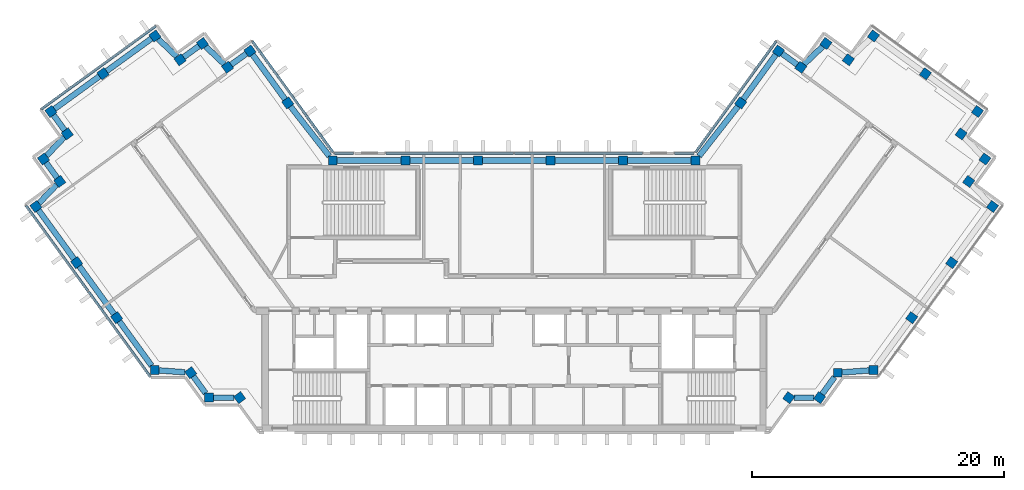
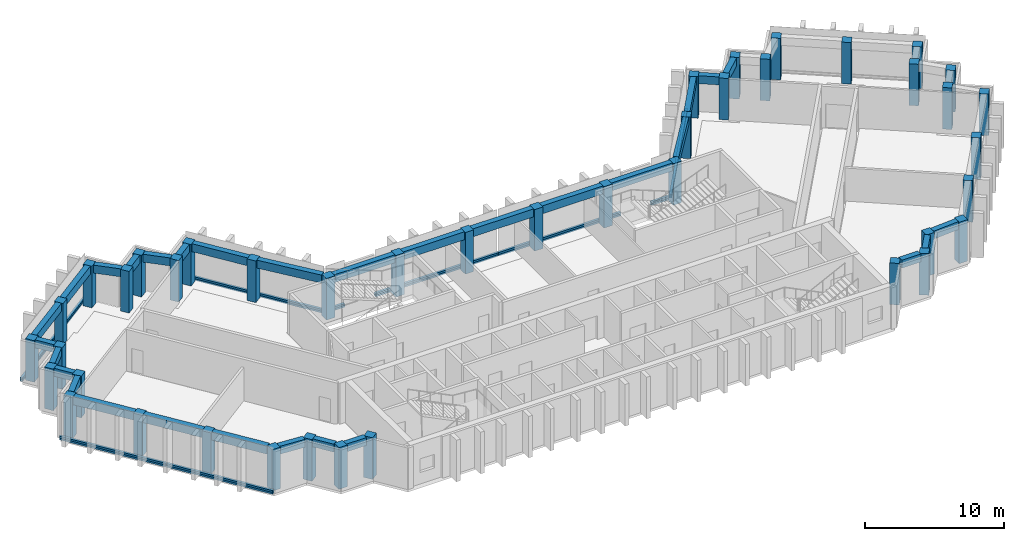
"""IFC4 building model written with IfcOpenShell, lengths in metres."""

from ifc_helpers import new_model, si_unit, direction, frame, origin, origin_2d, place, context, subcontext, project, spatial, rectangle, extrude, material, material_profile, profile_set, type_object, element, aggregate, save


model = new_model("IFC4")

# Units and contexts
model_context = context("Model", 3, precision=1e-05, world=origin(), true_north=direction((0.0, 1.0)))
body_context = subcontext(model_context, "Body", "Model", "MODEL_VIEW")
ifc_project = project(units=[si_unit("LENGTHUNIT", "METRE"), si_unit("AREAUNIT", "SQUARE_METRE"), si_unit("VOLUMEUNIT", "CUBIC_METRE"), si_unit("PLANEANGLEUNIT", "RADIAN"), si_unit("MASSUNIT", "GRAM", prefix="KILO")], contexts=[model_context])

# Site, building, storey
site_placement = place(None, origin())
site = spatial("IfcSite", under=ifc_project, at=site_placement, CompositionType="ELEMENT")
building_placement = place(site_placement, origin())
building = spatial("IfcBuilding", under=site, at=building_placement, Name="Quipu Civic Tower", CompositionType="ELEMENT")
storey_1_placement = place(building_placement, frame((0.0, 0.0, 331.0)))
storey_1 = spatial("IfcBuildingStorey", under=building, at=storey_1_placement, Name="L77", CompositionType="ELEMENT", Elevation=331.0)

# Columns
ifc_material_1 = material(Name="Concrete C40/50", Category="concrete")
ifc_material_profile_1 = material_profile(ifc_material_1, rectangle(XDim=0.699951171875, YDim=0.699951171875, at=origin_2d()), Name="RC700x700")
ifc_profile_set_1 = profile_set([ifc_material_profile_1], Name="Concrete C40/50")
column_type = type_object("IfcColumnType", Name="Perimeter column RC 700x700 C40/50", PredefinedType="COLUMN", material=ifc_profile_set_1)
for number, where, z_axis, x_axis, name in (
    (1, (-17.9736328125, 15.074951171875, 0.0), (0.0, 0.0, 1.0), (-0.587785252292, 0.809016994375, 0.0), "Column L77 W-IN-01"),
    (2, (-20.969970703125, 19.195068359375, 0.0), (0.0, 0.0, 1.0), (-0.587785252292, 0.809016994375, 0.0), "Column L77 T-Wi.0-W22"),
    (3, (-22.749267578125, 17.904296875, 0.0), (0.0, 0.0, 1.0), (-0.587785252292, 0.809016994375, 0.0), "Column L77 T-Wi.1-W22"),
    (4, (-24.739990234375, 19.794921875, 0.0), (0.0, 0.0, 1.0), (-0.587785252292, 0.809016994375, 0.0), "Column L77 T-Wi.2-W22"),
    (5, (-26.51904296875, 18.50048828125, 0.0), (0.0, 0.0, 1.0), (-0.587785252292, 0.809016994375, 0.0), "Column L77 T-Wi.3-W22"),
    (6, (-28.510009765625, 20.389892578125, 0.0), (0.0, 0.0, 1.0), (-0.809016994375, -0.587785252292, 0.0), "Column L77 T-Wi.4-W22"),
    (7, (-32.636962890625, 17.39306640625, 0.0), (0.0, 0.0, 1.0), (-0.809016994375, -0.587785252292, 0.0), "Column L77 TIP-W-01-W22"),
    (8, (-36.764892578125, 14.39501953125, 0.0), (0.0, 0.0, 1.0), (0.587785252292, -0.809016994375, 0.0), "Column L77 T-Wo.0-W22"),
    (9, (-35.470703125, 12.616455078125, 0.0), (0.0, 0.0, 1.0), (-0.809016994375, -0.587785252292, 0.0), "Column L77 T-Wo.1-W22"),
    (10, (-37.360107421875, 10.625, 0.0), (0.0, 0.0, 1.0), (0.587785252292, -0.809016994375, 0.0), "Column L77 T-Wo.2-W22"),
    (11, (-36.068115234375, 8.843994140625, 0.0), (0.0, 0.0, 1.0), (0.587785252292, -0.809016994375, 0.0), "Column L77 T-Wo.3-W22"),
    (12, (-37.9599609375, 6.85498046875, 0.0), (0.0, 0.0, 1.0), (0.587785252292, -0.809016994375, 0.0), "Column L77 T-Wo.4-W22"),
    (13, (-34.722412109375, 2.39990234375, 0.0), (0.0, 0.0, 1.0), (0.587785252292, -0.809016994375, 0.0), "Column L77 W-OUT-02"),
    (14, (-31.54833984375, -1.96875, 0.0), (0.0, 0.0, 1.0), (0.587785252292, -0.809016994375, 0.0), "Column L77 W-OUT-01"),
    (15, (-28.52490234375, -6.1298828125, 0.0), (0.0, 0.0, 1.0), (1.0, 0.0, 0.0), "Column L77 J-Wo.0"),
    (16, (-25.67431640625, -6.3369140625, 0.0), (0.0, 0.0, 1.0), (0.587785252292, -0.809016994375, 0.0), "Column L77 J-Wo.1"),
    (17, (-24.235107421875, -8.31494140625, 0.0), (0.0, 0.0, 1.0), (1.0, 0.0, 0.0), "Column L77 J-Wo.2"),
    (18, (-21.791748046875, -8.31494140625, 0.0), (0.0, 0.0, 1.0), (0.587785252292, -0.809016994375, 0.0), "Column L77 J-Wo.3"),
    (19, (21.791748046875, -8.31494140625, 0.0), (0.0, 0.0, 1.0), (0.587785252292, 0.809016994375, 0.0), "Column L77 J-Eo.1"),
    (20, (24.235107421875, -8.31494140625, 0.0), (0.0, 0.0, 1.0), (0.587785252292, 0.809016994375, 0.0), "Column L77 J-Eo.2"),
    (21, (25.67431640625, -6.3369140625, 0.0), (0.0, 0.0, 1.0), (1.0, 0.0, 0.0), "Column L77 J-Eo.3"),
    (22, (28.52490234375, -6.1298828125, 0.0), (0.0, 0.0, 1.0), (1.0, 0.0, 0.0), "Column L77 J-Eo.4"),
    (23, (31.54833984375, -1.96875, 0.0), (0.0, 0.0, 1.0), (0.587785252292, 0.809016994375, 0.0), "Column L77 E-OUT-01"),
    (24, (34.722412109375, 2.39990234375, 0.0), (0.0, 0.0, 1.0), (0.587785252292, 0.809016994375, 0.0), "Column L77 E-OUT-02"),
    (25, (37.9599609375, 6.85498046875, 0.0), (0.0, 0.0, 1.0), (0.587785252292, 0.809016994375, 0.0), "Column L77 T-Eo.0-E22"),
    (26, (36.068115234375, 8.843994140625, 0.0), (0.0, 0.0, 1.0), (0.587785252292, 0.809016994375, 0.0), "Column L77 T-Eo.1-E22"),
    (27, (37.360107421875, 10.625, 0.0), (0.0, 0.0, 1.0), (0.587785252292, 0.809016994375, 0.0), "Column L77 T-Eo.2-E22"),
    (28, (35.470703125, 12.616455078125, 0.0), (0.0, 0.0, 1.0), (-0.809016994375, 0.587785252292, 0.0), "Column L77 T-Eo.3-E22"),
    (29, (36.764892578125, 14.39501953125, 0.0), (0.0, 0.0, 1.0), (-0.809016994375, 0.587785252292, 0.0), "Column L77 T-Eo.4-E22"),
    (30, (32.636962890625, 17.39306640625, 0.0), (0.0, 0.0, 1.0), (-0.809016994375, 0.587785252292, 0.0), "Column L77 TIP-E-01-E22"),
    (31, (28.510009765625, 20.389892578125, 0.0), (0.0, 0.0, 1.0), (-0.587785252292, -0.809016994375, 0.0), "Column L77 T-Ei.0-E22"),
    (32, (26.51904296875, 18.50048828125, 0.0), (0.0, 0.0, 1.0), (-0.809016994375, 0.587785252292, 0.0), "Column L77 T-Ei.1-E22"),
    (33, (24.739990234375, 19.794921875, 0.0), (0.0, 0.0, 1.0), (-0.587785252292, -0.809016994375, 0.0), "Column L77 T-Ei.2-E22"),
    (34, (22.749267578125, 17.904296875, 0.0), (0.0, 0.0, 1.0), (-0.587785252292, -0.809016994375, 0.0), "Column L77 T-Ei.3-E22"),
    (35, (20.969970703125, 19.195068359375, 0.0), (0.0, 0.0, 1.0), (-0.587785252292, -0.809016994375, 0.0), "Column L77 T-Ei.4-E22"),
    (36, (17.9736328125, 15.074951171875, 0.0), (0.0, 0.0, 1.0), (-0.587785252292, -0.809016994375, 0.0), "Column L77 E-IN-01"),
    (37, (14.395263671875, 10.5, 0.0), (0.0, 0.0, 1.0), (-1.0, 0.0, 0.0), "Column L77 J-Ei.0"),
    (38, (8.63720703125, 10.5, 0.0), (0.0, 0.0, 1.0), (-1.0, 0.0, 0.0), "Column L77 FRONT-01"),
    (39, (2.87890625, 10.5, 0.0), (0.0, 0.0, 1.0), (-1.0, 0.0, 0.0), "Column L77 FRONT-02"),
    (40, (-2.87890625, 10.5, 0.0), (0.0, 0.0, 1.0), (-1.0, 0.0, 0.0), "Column L77 FRONT-03"),
    (41, (-8.63720703125, 10.5, 0.0), (0.0, 0.0, 1.0), (-1.0, 0.0, 0.0), "Column L77 FRONT-04"),
    (42, (-14.395263671875, 10.5, 0.0), (0.0, 0.0, 1.0), (-1.0, 0.0, 0.0), "Column L77 J-Wi.0"),
):
    element("IfcColumn", number, at=place(storey_1_placement, frame(where, z_axis=z_axis, x_axis=x_axis)), inside=storey_1, type_object=column_type, Name=name, PredefinedType="COLUMN", context=body_context, shape_type="SweptSolid", body=[
        extrude(rectangle(XDim=0.699951171875, YDim=0.699951171875, at=origin_2d()), origin(), (0.0, 0.0, 1.0), 3.64990234375),
    ])

# Beams
ifc_material_2 = material(Name="Concrete C50/60", Category="concrete")
ifc_material_profile_2 = material_profile(ifc_material_2, rectangle(XDim=0.449951171875, YDim=0.699951171875, at=origin_2d()), Name="RC450x700")
ifc_profile_set_2 = profile_set([ifc_material_profile_2], Name="Concrete C50/60")
beam_type = type_object("IfcBeamType", Name="Spandrel beam RC 450x700 C50/60", PredefinedType="SPANDREL", material=ifc_profile_set_2)
beam_1_placement = place(storey_1_placement, frame((-18.179443359375, 15.358154296875, 3.300048828125), z_axis=(-0.588201428764, 0.808714460857, 0.0), x_axis=(-0.808714460857, -0.588201428764, 0.0)))
element("IfcBeam", 43, at=beam_1_placement, inside=storey_1, type_object=beam_type, Name="Spandrel beam L77 W-IN-01 to T-Wi.0-W22", PredefinedType="SPANDREL", context=body_context, shape_type="SweptSolid", body=[
    extrude(rectangle(XDim=0.449951171875, YDim=0.699951171875, at=origin_2d()), origin(), (0.0, 0.0, 1.0), 4.394287109375),
])
beam_2_placement = place(storey_1_placement, frame((-21.25341796875, 18.989501953125, 3.300048828125), z_axis=(-0.809461336076, -0.587173181776, 0.0), x_axis=(0.587173181776, -0.809461336076, 0.0)))
element("IfcBeam", 44, at=beam_2_placement, inside=storey_1, type_object=beam_type, Name="Spandrel beam L77 T-Wi.0-W22 to T-Wi.1-W22", PredefinedType="SPANDREL", context=body_context, shape_type="SweptSolid", body=[
    extrude(rectangle(XDim=0.449951171875, YDim=0.699951171875, at=origin_2d()), origin(), (0.0, 0.0, 1.0), 1.498046875),
])
beam_3_placement = place(storey_1_placement, frame((-23.00732421875, 18.1494140625, 3.300048828125), z_axis=(-0.72511931772, 0.6886232461, 0.0), x_axis=(-0.6886232461, -0.72511931772, 0.0)))
element("IfcBeam", 45, at=beam_3_placement, inside=storey_1, type_object=beam_type, Name="Spandrel beam L77 T-Wi.1-W22 to T-Wi.2-W22", PredefinedType="SPANDREL", context=body_context, shape_type="SweptSolid", body=[
    extrude(rectangle(XDim=0.449951171875, YDim=0.699951171875, at=origin_2d()), origin(), (0.0, 0.0, 1.0), 2.03369140625),
])
beam_4_placement = place(storey_1_placement, frame((-25.02294921875, 19.589111328125, 3.300048828125), z_axis=(-0.808644589435, -0.588297482553, 0.0), x_axis=(0.588297482553, -0.808644589435, 0.0)))
element("IfcBeam", 46, at=beam_4_placement, inside=storey_1, type_object=beam_type, Name="Spandrel beam L77 T-Wi.2-W22 to T-Wi.3-W22", PredefinedType="SPANDREL", context=body_context, shape_type="SweptSolid", body=[
    extrude(rectangle(XDim=0.449951171875, YDim=0.699951171875, at=origin_2d()), origin(), (0.0, 0.0, 1.0), 1.500244140625),
])
beam_5_placement = place(storey_1_placement, frame((-26.777099609375, 18.74560546875, 3.300048828125), z_axis=(-0.725359138958, 0.688370626574, 0.0), x_axis=(-0.688370626574, -0.725359138958, 0.0)))
element("IfcBeam", 47, at=beam_5_placement, inside=storey_1, type_object=beam_type, Name="Spandrel beam L77 T-Wi.3-W22 to T-Wi.4-W22", PredefinedType="SPANDREL", context=body_context, shape_type="SweptSolid", body=[
    extrude(rectangle(XDim=0.449951171875, YDim=0.699951171875, at=origin_2d()), origin(), (0.0, 0.0, 1.0), 2.032958984375),
])
beam_6_placement = place(storey_1_placement, frame((-28.793212890625, 20.184326171875, 3.300048828125), z_axis=(-0.809146152767, -0.587607439931, 0.0), x_axis=(0.587607439931, -0.809146152767, 0.0)))
element("IfcBeam", 48, at=beam_6_placement, inside=storey_1, type_object=beam_type, Name="Spandrel beam L77 T-Wi.4-W22 to TIP-W-01-W22", PredefinedType="SPANDREL", context=body_context, shape_type="SweptSolid", body=[
    extrude(rectangle(XDim=0.449951171875, YDim=0.699951171875, at=origin_2d()), origin(), (0.0, 0.0, 1.0), 4.400390625),
])
beam_7_placement = place(storey_1_placement, frame((-32.920166015625, 17.187255859375, 3.300048828125), z_axis=(-0.809117270763, -0.587647208921, 0.0), x_axis=(0.587647208921, -0.809117270763, 0.0)))
element("IfcBeam", 49, at=beam_7_placement, inside=storey_1, type_object=beam_type, Name="Spandrel beam L77 TIP-W-01-W22 to T-Wo.0-W22", PredefinedType="SPANDREL", context=body_context, shape_type="SweptSolid", body=[
    extrude(rectangle(XDim=0.449951171875, YDim=0.699951171875, at=origin_2d()), origin(), (0.0, 0.0, 1.0), 4.40185546875),
])
beam_8_placement = place(storey_1_placement, frame((-36.55908203125, 14.112060546875, 3.300048828125), z_axis=(0.588345920092, -0.808609348394, 0.0), x_axis=(0.808609348394, 0.588345920092, 0.0)))
element("IfcBeam", 50, at=beam_8_placement, inside=storey_1, type_object=beam_type, Name="Spandrel beam L77 T-Wo.0-W22 to T-Wo.1-W22", PredefinedType="SPANDREL", context=body_context, shape_type="SweptSolid", body=[
    extrude(rectangle(XDim=0.449951171875, YDim=0.699951171875, at=origin_2d()), origin(), (0.0, 0.0, 1.0), 1.499755859375),
])
beam_9_placement = place(storey_1_placement, frame((-35.7158203125, 12.358154296875, 3.300048828125), z_axis=(-0.688247466856, -0.725475998477, 0.0), x_axis=(0.725475998477, -0.688247466856, 0.0)))
element("IfcBeam", 51, at=beam_9_placement, inside=storey_1, type_object=beam_type, Name="Spandrel beam L77 T-Wo.1-W22 to T-Wo.2-W22", PredefinedType="SPANDREL", context=body_context, shape_type="SweptSolid", body=[
    extrude(rectangle(XDim=0.449951171875, YDim=0.699951171875, at=origin_2d()), origin(), (0.0, 0.0, 1.0), 2.032958984375),
])
beam_10_placement = place(storey_1_placement, frame((-37.154541015625, 10.341796875, 3.300048828125), z_axis=(0.587164895097, -0.809467347066, 0.0), x_axis=(0.809467347066, 0.587164895097, 0.0)))
element("IfcBeam", 52, at=beam_10_placement, inside=storey_1, type_object=beam_type, Name="Spandrel beam L77 T-Wo.2-W22 to T-Wo.3-W22", PredefinedType="SPANDREL", context=body_context, shape_type="SweptSolid", body=[
    extrude(rectangle(XDim=0.449951171875, YDim=0.699951171875, at=origin_2d()), origin(), (0.0, 0.0, 1.0), 1.500244140625),
])
beam_11_placement = place(storey_1_placement, frame((-36.3134765625, 8.586181640625, 3.300048828125), z_axis=(-0.689175330605, -0.724594620244, 0.0), x_axis=(0.724594620244, -0.689175330605, 0.0)))
element("IfcBeam", 53, at=beam_11_placement, inside=storey_1, type_object=beam_type, Name="Spandrel beam L77 T-Wo.3-W22 to T-Wo.4-W22", PredefinedType="SPANDREL", context=body_context, shape_type="SweptSolid", body=[
    extrude(rectangle(XDim=0.449951171875, YDim=0.699951171875, at=origin_2d()), origin(), (0.0, 0.0, 1.0), 2.033447265625),
])
beam_12_placement = place(storey_1_placement, frame((-37.754150390625, 6.57177734375, 3.300048828125), z_axis=(0.587905928359, -0.808929304328, 0.0), x_axis=(0.808929304328, 0.587905928359, 0.0)))
element("IfcBeam", 54, at=beam_12_placement, inside=storey_1, type_object=beam_type, Name="Spandrel beam L77 T-Wo.4-W22 to W-OUT-02", PredefinedType="SPANDREL", context=body_context, shape_type="SweptSolid", body=[
    extrude(rectangle(XDim=0.449951171875, YDim=0.699951171875, at=origin_2d()), origin(), (0.0, 0.0, 1.0), 4.80712890625),
])
beam_13_placement = place(storey_1_placement, frame((-34.5166015625, 2.116943359375, 3.300048828125), z_axis=(0.587788656305, -0.809014521204, 0.0), x_axis=(0.809014521204, 0.587788656305, 0.0)))
element("IfcBeam", 55, at=beam_13_placement, inside=storey_1, type_object=beam_type, Name="Spandrel beam L77 W-OUT-02 to W-OUT-01", PredefinedType="SPANDREL", context=body_context, shape_type="SweptSolid", body=[
    extrude(rectangle(XDim=0.449951171875, YDim=0.699951171875, at=origin_2d()), origin(), (0.0, 0.0, 1.0), 4.7001953125),
])
beam_14_placement = place(storey_1_placement, frame((-31.342529296875, -2.251953125, 3.300048828125), z_axis=(0.58777550284, -0.809024077677, 0.0), x_axis=(0.809024077677, 0.58777550284, 0.0)))
element("IfcBeam", 56, at=beam_14_placement, inside=storey_1, type_object=beam_type, Name="Spandrel beam L77 W-OUT-01 to J-Wo.0", PredefinedType="SPANDREL", context=body_context, shape_type="SweptSolid", body=[
    extrude(rectangle(XDim=0.449951171875, YDim=0.699951171875, at=origin_2d()), origin(), (0.0, 0.0, 1.0), 4.36083984375),
])
beam_15_placement = place(storey_1_placement, frame((-28.175048828125, -6.155517578125, 3.300048828125), z_axis=(0.99737333325, -0.072432272649, 0.0), x_axis=(0.072432272649, 0.99737333325, 0.0)))
element("IfcBeam", 57, at=beam_15_placement, inside=storey_1, type_object=beam_type, Name="Spandrel beam L77 J-Wo.0 to J-Wo.1", PredefinedType="SPANDREL", context=body_context, shape_type="SweptSolid", body=[
    extrude(rectangle(XDim=0.449951171875, YDim=0.699951171875, at=origin_2d()), origin(), (0.0, 0.0, 1.0), 2.04931640625),
])
beam_16_placement = place(storey_1_placement, frame((-25.468505859375, -6.6201171875, 3.300048828125), z_axis=(0.588407300614, -0.80856468423, 0.0), x_axis=(0.80856468423, 0.588407300614, 0.0)))
element("IfcBeam", 58, at=beam_16_placement, inside=storey_1, type_object=beam_type, Name="Spandrel beam L77 J-Wo.1 to J-Wo.2", PredefinedType="SPANDREL", context=body_context, shape_type="SweptSolid", body=[
    extrude(rectangle(XDim=0.449951171875, YDim=0.699951171875, at=origin_2d()), origin(), (0.0, 0.0, 1.0), 1.663330078125),
])
beam_17_placement = place(storey_1_placement, frame((-23.885009765625, -8.31494140625, 3.300048828125), z_axis=(1.0, 0.0, 0.0), x_axis=(0.0, 1.0, 0.0)))
element("IfcBeam", 59, at=beam_17_placement, inside=storey_1, type_object=beam_type, Name="Spandrel beam L77 J-Wo.2 to J-Wo.3", PredefinedType="SPANDREL", context=body_context, shape_type="SweptSolid", body=[
    extrude(rectangle(XDim=0.449951171875, YDim=0.699951171875, at=origin_2d()), origin(), (0.0, 0.0, 1.0), 1.66064453125),
])
beam_18_placement = place(storey_1_placement, frame((22.224365234375, -8.31494140625, 3.300048828125), z_axis=(1.0, 0.0, 0.0), x_axis=(0.0, 1.0, 0.0)))
element("IfcBeam", 60, at=beam_18_placement, inside=storey_1, type_object=beam_type, Name="Spandrel beam L77 J-Eo.1 to J-Eo.2", PredefinedType="SPANDREL", context=body_context, shape_type="SweptSolid", body=[
    extrude(rectangle(XDim=0.449951171875, YDim=0.699951171875, at=origin_2d()), origin(), (0.0, 0.0, 1.0), 1.578125),
])
beam_19_placement = place(storey_1_placement, frame((24.44091796875, -8.031982421875, 3.300048828125), z_axis=(0.588407300614, 0.80856468423, 0.0), x_axis=(-0.80856468423, 0.588407300614, 0.0)))
element("IfcBeam", 61, at=beam_19_placement, inside=storey_1, type_object=beam_type, Name="Spandrel beam L77 J-Eo.2 to J-Eo.3", PredefinedType="SPANDREL", context=body_context, shape_type="SweptSolid", body=[
    extrude(rectangle(XDim=0.449951171875, YDim=0.699951171875, at=origin_2d()), origin(), (0.0, 0.0, 1.0), 1.663330078125),
])
beam_20_placement = place(storey_1_placement, frame((26.0244140625, -6.3115234375, 3.300048828125), z_axis=(0.997379352029, 0.072349347934, 0.0), x_axis=(-0.072349347934, 0.997379352029, 0.0)))
element("IfcBeam", 62, at=beam_20_placement, inside=storey_1, type_object=beam_type, Name="Spandrel beam L77 J-Eo.3 to J-Eo.4", PredefinedType="SPANDREL", context=body_context, shape_type="SweptSolid", body=[
    extrude(rectangle(XDim=0.449951171875, YDim=0.699951171875, at=origin_2d()), origin(), (0.0, 0.0, 1.0), 2.15625),
])
beam_21_placement = place(storey_1_placement, frame((24.48193359375, 19.5498046875, 3.300048828125), z_axis=(-0.72511931772, -0.6886232461, 0.0), x_axis=(0.6886232461, -0.72511931772, 0.0)))
element("IfcBeam", 63, at=beam_21_placement, inside=storey_1, type_object=beam_type, Name="Spandrel beam L77 T-Ei.2-E22 to T-Ei.3-E22", PredefinedType="SPANDREL", context=body_context, shape_type="SweptSolid", body=[
    extrude(rectangle(XDim=0.449951171875, YDim=0.699951171875, at=origin_2d()), origin(), (0.0, 0.0, 1.0), 2.03369140625),
])
beam_22_placement = place(storey_1_placement, frame((22.466064453125, 18.10986328125, 3.300048828125), z_axis=(-0.809461336076, 0.587173181776, 0.0), x_axis=(-0.587173181776, -0.809461336076, 0.0)))
element("IfcBeam", 64, at=beam_22_placement, inside=storey_1, type_object=beam_type, Name="Spandrel beam L77 T-Ei.3-E22 to T-Ei.4-E22", PredefinedType="SPANDREL", context=body_context, shape_type="SweptSolid", body=[
    extrude(rectangle(XDim=0.449951171875, YDim=0.699951171875, at=origin_2d()), origin(), (0.0, 0.0, 1.0), 1.498046875),
])
beam_23_placement = place(storey_1_placement, frame((20.76416015625, 18.911865234375, 3.300048828125), z_axis=(-0.588201428764, -0.808714460857, 0.0), x_axis=(0.808714460857, -0.588201428764, 0.0)))
element("IfcBeam", 65, at=beam_23_placement, inside=storey_1, type_object=beam_type, Name="Spandrel beam L77 T-Ei.4-E22 to E-IN-01", PredefinedType="SPANDREL", context=body_context, shape_type="SweptSolid", body=[
    extrude(rectangle(XDim=0.449951171875, YDim=0.699951171875, at=origin_2d()), origin(), (0.0, 0.0, 1.0), 4.394287109375),
])
beam_24_placement = place(storey_1_placement, frame((17.7578125, 14.799072265625, 3.300048828125), z_axis=(-0.616106034519, -0.787663223865, 0.0), x_axis=(0.787663223865, -0.616106034519, 0.0)))
element("IfcBeam", 66, at=beam_24_placement, inside=storey_1, type_object=beam_type, Name="Spandrel beam L77 E-IN-01 to J-Ei.0", PredefinedType="SPANDREL", context=body_context, shape_type="SweptSolid", body=[
    extrude(rectangle(XDim=0.449951171875, YDim=0.699951171875, at=origin_2d()), origin(), (0.0, 0.0, 1.0), 5.013427734375),
])
for number, where, z_axis, x_axis, name in (
    (67, (14.045166015625, 10.5, 3.300048828125), (-1.0, 0.0, 0.0), (0.0, -1.0, 0.0), "Spandrel beam L77 J-Ei.0 to FRONT-01"),
    (68, (8.287109375, 10.5, 3.300048828125), (-1.0, 0.0, 0.0), (0.0, -1.0, 0.0), "Spandrel beam L77 FRONT-01 to FRONT-02"),
    (69, (2.529052734375, 10.5, 3.300048828125), (-1.0, 0.0, 0.0), (0.0, -1.0, 0.0), "Spandrel beam L77 FRONT-02 to FRONT-03"),
    (70, (-3.22900390625, 10.5, 3.300048828125), (-1.0, 0.0, 0.0), (0.0, -1.0, 0.0), "Spandrel beam L77 FRONT-03 to FRONT-04"),
    (71, (-8.987060546875, 10.5, 3.300048828125), (-1.0, 0.0, 0.0), (0.0, -1.0, 0.0), "Spandrel beam L77 FRONT-04 to J-Wi.0"),
):
    element("IfcBeam", number, at=place(storey_1_placement, frame(where, z_axis=z_axis, x_axis=x_axis)), inside=storey_1, type_object=beam_type, Name=name, PredefinedType="SPANDREL", context=body_context, shape_type="SweptSolid", body=[
        extrude(rectangle(XDim=0.449951171875, YDim=0.699951171875, at=origin_2d()), origin(), (0.0, 0.0, 1.0), 5.05810546875),
    ])
beam_25_placement = place(storey_1_placement, frame((-14.6689453125, 10.85009765625, 3.300048828125), z_axis=(-0.616106034519, 0.787663223865, 0.0), x_axis=(-0.787663223865, -0.616106034519, 0.0)))
element("IfcBeam", 72, at=beam_25_placement, inside=storey_1, type_object=beam_type, Name="Spandrel beam L77 J-Wi.0 to W-IN-01", PredefinedType="SPANDREL", context=body_context, shape_type="SweptSolid", body=[
    extrude(rectangle(XDim=0.449951171875, YDim=0.699951171875, at=origin_2d()), origin(), (0.0, 0.0, 1.0), 5.013427734375),
])

# Storey
storey_2_placement = place(building_placement, frame((0.0, 0.0, 323.0)))
storey_2 = spatial("IfcBuildingStorey", under=building, at=storey_2_placement, Name="L75", CompositionType="ELEMENT", Elevation=323.0)

# Curtain wall, member
ifc_material_3 = material(Name="Insulated glass unit", Category="glass")
curtain_wall_type = type_object("IfcCurtainWallType", Name="Office curtain wall CW1", PredefinedType="NOTDEFINED", material=ifc_material_3)
curtain_wall_1_placement = place(storey_2_placement, origin())
curtain_wall_1 = element("IfcCurtainWall", 73, at=curtain_wall_1_placement, inside=storey_2, type_object=curtain_wall_type, Name="Office curtain wall CW1 L74 run 8", PredefinedType="NOTDEFINED")
ifc_material_4 = material(Name="Anodised aluminium", Category="aluminium")
ifc_material_profile_3 = material_profile(ifc_material_4, rectangle(XDim=0.199951171875, YDim=0.159912109375, at=origin_2d()), Name="RECT 200x160")
ifc_profile_set_3 = profile_set([ifc_material_profile_3], Name="Anodised aluminium")
member_type = type_object("IfcMemberType", Name="Transom CW1", PredefinedType="USERDEFINED", material=ifc_profile_set_3)
member_1_placement = place(storey_1_placement, frame((-14.39111328125, 11.164794921875, 0.0), z_axis=(-0.587796859727, 0.809008560953, 0.0), x_axis=(-0.809008560953, -0.587796859727, 0.0)))
member_1 = element("IfcMember", 74, at=member_1_placement, inside=storey_1, type_object=member_type, Name="CW1 transom 1.4", ObjectType="TRANSOM", PredefinedType="USERDEFINED", context=body_context, shape_type="SweptSolid", body=[
    extrude(rectangle(XDim=0.199951171875, YDim=0.159912109375, at=origin_2d()), origin(), (0.0, 0.0, 1.0), 10.88427734375),
])
aggregate(curtain_wall_1, [member_1])

curtain_wall_2_placement = place(storey_2_placement, origin())
curtain_wall_2 = element("IfcCurtainWall", 75, at=curtain_wall_2_placement, inside=storey_2, type_object=curtain_wall_type, Name="Office curtain wall CW1 L74 run 13", PredefinedType="NOTDEFINED")
member_2_placement = place(storey_1_placement, frame((-28.443359375, 21.1826171875, 0.0), z_axis=(-0.809022463805, -0.587777724194, 0.0), x_axis=(0.587777724194, -0.809022463805, 0.0)))
member_2 = element("IfcMember", 76, at=member_2_placement, inside=storey_1, type_object=member_type, Name="CW1 transom 1.4", ObjectType="TRANSOM", PredefinedType="USERDEFINED", context=body_context, shape_type="SweptSolid", body=[
    extrude(rectangle(XDim=0.199951171875, YDim=0.159912109375, at=origin_2d()), origin(), (0.0, 0.0, 1.0), 11.240234375),
])
aggregate(curtain_wall_2, [member_2])

# Curtain wall, members
curtain_wall_3_placement = place(storey_2_placement, origin())
curtain_wall_3 = element("IfcCurtainWall", 77, at=curtain_wall_3_placement, inside=storey_2, type_object=curtain_wall_type, Name="Office curtain wall CW1 L74 run 18", PredefinedType="NOTDEFINED")
member_3_placement = place(storey_1_placement, frame((-38.7490234375, 6.92138671875, 0.0), z_axis=(0.587779098815, -0.809021465102, 0.0), x_axis=(0.809021465102, 0.587779098815, 0.0)))
member_3 = element("IfcMember", 78, at=member_3_placement, inside=storey_1, type_object=member_type, Name="CW1 transom 1.4", ObjectType="TRANSOM", PredefinedType="USERDEFINED", context=body_context, shape_type="SweptSolid", body=[
    extrude(rectangle(XDim=0.199951171875, YDim=0.159912109375, at=origin_2d()), origin(), (0.0, 0.0, 1.0), 8.35791015625),
])
member_4_placement = place(storey_1_placement, frame((-33.78955078125, 0.094970703125, 0.0), z_axis=(0.587812107925, -0.808997481935, 0.0), x_axis=(0.808997481935, 0.587812107925, 0.0)))
member_4 = element("IfcMember", 79, at=member_4_placement, inside=storey_1, type_object=member_type, Name="CW1 transom 2.4", ObjectType="TRANSOM", PredefinedType="USERDEFINED", context=body_context, shape_type="SweptSolid", body=[
    extrude(rectangle(XDim=0.199951171875, YDim=0.159912109375, at=origin_2d()), origin(), (0.0, 0.0, 1.0), 8.35791015625),
])
aggregate(curtain_wall_3, [member_3, member_4])

# Curtain wall, member
curtain_wall_4_placement = place(storey_2_placement, origin())
curtain_wall_4 = element("IfcCurtainWall", 80, at=curtain_wall_4_placement, inside=storey_2, type_object=curtain_wall_type, Name="Office curtain wall CW1 L74 run 33", PredefinedType="NOTDEFINED")
member_5_placement = place(storey_1_placement, frame((20.788818359375, 19.97021484375, 0.0), z_axis=(-0.587796859727, -0.809008560953, 0.0), x_axis=(0.809008560953, -0.587796859727, 0.0)))
member_5 = element("IfcMember", 81, at=member_5_placement, inside=storey_1, type_object=member_type, Name="CW1 transom 1.4", ObjectType="TRANSOM", PredefinedType="USERDEFINED", context=body_context, shape_type="SweptSolid", body=[
    extrude(rectangle(XDim=0.199951171875, YDim=0.159912109375, at=origin_2d()), origin(), (0.0, 0.0, 1.0), 10.88427734375),
])
aggregate(curtain_wall_4, [member_5])

curtain_wall_5_placement = place(storey_2_placement, origin())
curtain_wall_5 = element("IfcCurtainWall", 82, at=curtain_wall_5_placement, inside=storey_2, type_object=curtain_wall_type, Name="Office curtain wall CW1 L74 run 34", PredefinedType="NOTDEFINED")
member_6_placement = place(storey_1_placement, frame((14.26416015625, 11.10009765625, 0.0), z_axis=(-1.0, 0.0, 0.0), x_axis=(0.0, -1.0, 0.0)))
member_6 = element("IfcMember", 83, at=member_6_placement, inside=storey_1, type_object=member_type, Name="CW1 transom 1.4", ObjectType="TRANSOM", PredefinedType="USERDEFINED", context=body_context, shape_type="SweptSolid", body=[
    extrude(rectangle(XDim=0.199951171875, YDim=0.159912109375, at=origin_2d()), origin(), (0.0, 0.0, 1.0), 1.529052734375),
])
aggregate(curtain_wall_5, [member_6])

# Curtain wall, members
curtain_wall_6_placement = place(storey_2_placement, origin())
curtain_wall_6 = element("IfcCurtainWall", 84, at=curtain_wall_6_placement, inside=storey_2, type_object=curtain_wall_type, Name="Office curtain wall CW1 L74 run 36", PredefinedType="NOTDEFINED")
member_7_placement = place(storey_1_placement, frame((10.18359375, 11.10009765625, 0.0), z_axis=(-1.0, 0.0, 0.0), x_axis=(0.0, -1.0, 0.0)))
member_7 = element("IfcMember", 85, at=member_7_placement, inside=storey_1, type_object=member_type, Name="CW1 transom 1.4", ObjectType="TRANSOM", PredefinedType="USERDEFINED", context=body_context, shape_type="SweptSolid", body=[
    extrude(rectangle(XDim=0.199951171875, YDim=0.159912109375, at=origin_2d()), origin(), (0.0, 0.0, 1.0), 10.1435546875),
])
member_8_placement = place(storey_1_placement, frame((-0.0400390625, 11.10009765625, 0.0), z_axis=(-1.0, 0.0, 0.0), x_axis=(0.0, -1.0, 0.0)))
member_8 = element("IfcMember", 86, at=member_8_placement, inside=storey_1, type_object=member_type, Name="CW1 transom 2.4", ObjectType="TRANSOM", PredefinedType="USERDEFINED", context=body_context, shape_type="SweptSolid", body=[
    extrude(rectangle(XDim=0.199951171875, YDim=0.159912109375, at=origin_2d()), origin(), (0.0, 0.0, 1.0), 10.1435546875),
])
aggregate(curtain_wall_6, [member_7, member_8])

# Curtain wall, member
curtain_wall_7_placement = place(storey_2_placement, origin())
curtain_wall_7 = element("IfcCurtainWall", 87, at=curtain_wall_7_placement, inside=storey_2, type_object=curtain_wall_type, Name="Office curtain wall CW1 L74 run 38", PredefinedType="NOTDEFINED")
member_9_placement = place(storey_1_placement, frame((-12.735107421875, 11.10009765625, 0.0), z_axis=(-1.0, 0.0, 0.0), x_axis=(0.0, -1.0, 0.0)))
member_9 = element("IfcMember", 88, at=member_9_placement, inside=storey_1, type_object=member_type, Name="CW1 transom 1.4", ObjectType="TRANSOM", PredefinedType="USERDEFINED", context=body_context, shape_type="SweptSolid", body=[
    extrude(rectangle(XDim=0.199951171875, YDim=0.159912109375, at=origin_2d()), origin(), (0.0, 0.0, 1.0), 1.529052734375),
])
aggregate(curtain_wall_7, [member_9])

# Storey
storey_3_placement = place(building_placement, frame((0.0, 0.0, 335.0)))
storey_3 = spatial("IfcBuildingStorey", under=building, at=storey_3_placement, Name="L78", CompositionType="ELEMENT", Elevation=335.0)

# Curtain wall, member
curtain_wall_8_placement = place(storey_3_placement, origin())
curtain_wall_8 = element("IfcCurtainWall", 89, at=curtain_wall_8_placement, inside=storey_3, type_object=curtain_wall_type, Name="Office curtain wall CW1 L77 run 1", PredefinedType="NOTDEFINED")
member_10_placement = place(storey_1_placement, frame((-14.39111328125, 11.164794921875, 0.159912109375), z_axis=(-0.587796859727, 0.809008560953, 0.0), x_axis=(-0.809008560953, -0.587796859727, 0.0)))
member_10 = element("IfcMember", 90, at=member_10_placement, inside=storey_1, type_object=member_type, Name="CW1 transom 1.1", ObjectType="TRANSOM", PredefinedType="USERDEFINED", context=body_context, shape_type="SweptSolid", body=[
    extrude(rectangle(XDim=0.199951171875, YDim=0.159912109375, at=origin_2d()), origin(), (0.0, 0.0, 1.0), 10.88427734375),
])
aggregate(curtain_wall_8, [member_10])

curtain_wall_9_placement = place(storey_3_placement, origin())
curtain_wall_9 = element("IfcCurtainWall", 91, at=curtain_wall_9_placement, inside=storey_3, type_object=curtain_wall_type, Name="Office curtain wall CW1 L77 run 6", PredefinedType="NOTDEFINED")
member_11_placement = place(storey_1_placement, frame((-28.443359375, 21.1826171875, 0.159912109375), z_axis=(-0.809022463805, -0.587777724194, 0.0), x_axis=(0.587777724194, -0.809022463805, 0.0)))
member_11 = element("IfcMember", 92, at=member_11_placement, inside=storey_1, type_object=member_type, Name="CW1 transom 1.1", ObjectType="TRANSOM", PredefinedType="USERDEFINED", context=body_context, shape_type="SweptSolid", body=[
    extrude(rectangle(XDim=0.199951171875, YDim=0.159912109375, at=origin_2d()), origin(), (0.0, 0.0, 1.0), 11.240234375),
])
aggregate(curtain_wall_9, [member_11])

# Curtain wall, members
curtain_wall_10_placement = place(storey_3_placement, origin())
curtain_wall_10 = element("IfcCurtainWall", 93, at=curtain_wall_10_placement, inside=storey_3, type_object=curtain_wall_type, Name="Office curtain wall CW1 L77 run 11", PredefinedType="NOTDEFINED")
member_12_placement = place(storey_1_placement, frame((-38.7490234375, 6.92138671875, 0.159912109375), z_axis=(0.587779098815, -0.809021465102, 0.0), x_axis=(0.809021465102, 0.587779098815, 0.0)))
member_12 = element("IfcMember", 94, at=member_12_placement, inside=storey_1, type_object=member_type, Name="CW1 transom 1.1", ObjectType="TRANSOM", PredefinedType="USERDEFINED", context=body_context, shape_type="SweptSolid", body=[
    extrude(rectangle(XDim=0.199951171875, YDim=0.159912109375, at=origin_2d()), origin(), (0.0, 0.0, 1.0), 8.35791015625),
])
member_13_placement = place(storey_1_placement, frame((-33.78955078125, 0.094970703125, 0.159912109375), z_axis=(0.587812107925, -0.808997481935, 0.0), x_axis=(0.808997481935, 0.587812107925, 0.0)))
member_13 = element("IfcMember", 95, at=member_13_placement, inside=storey_1, type_object=member_type, Name="CW1 transom 2.1", ObjectType="TRANSOM", PredefinedType="USERDEFINED", context=body_context, shape_type="SweptSolid", body=[
    extrude(rectangle(XDim=0.199951171875, YDim=0.159912109375, at=origin_2d()), origin(), (0.0, 0.0, 1.0), 8.35791015625),
])
aggregate(curtain_wall_10, [member_12, member_13])

# Curtain wall, member
curtain_wall_11_placement = place(storey_3_placement, origin())
curtain_wall_11 = element("IfcCurtainWall", 96, at=curtain_wall_11_placement, inside=storey_3, type_object=curtain_wall_type, Name="Office curtain wall CW1 L77 run 26", PredefinedType="NOTDEFINED")
member_14_placement = place(storey_1_placement, frame((20.788818359375, 19.97021484375, 0.159912109375), z_axis=(-0.587796859727, -0.809008560953, 0.0), x_axis=(0.809008560953, -0.587796859727, 0.0)))
member_14 = element("IfcMember", 97, at=member_14_placement, inside=storey_1, type_object=member_type, Name="CW1 transom 1.1", ObjectType="TRANSOM", PredefinedType="USERDEFINED", context=body_context, shape_type="SweptSolid", body=[
    extrude(rectangle(XDim=0.199951171875, YDim=0.159912109375, at=origin_2d()), origin(), (0.0, 0.0, 1.0), 10.88427734375),
])
aggregate(curtain_wall_11, [member_14])

curtain_wall_12_placement = place(storey_3_placement, origin())
curtain_wall_12 = element("IfcCurtainWall", 98, at=curtain_wall_12_placement, inside=storey_3, type_object=curtain_wall_type, Name="Office curtain wall CW1 L77 run 27", PredefinedType="NOTDEFINED")
member_15_placement = place(storey_1_placement, frame((14.26416015625, 11.10009765625, 0.159912109375), z_axis=(-1.0, 0.0, 0.0), x_axis=(0.0, -1.0, 0.0)))
member_15 = element("IfcMember", 99, at=member_15_placement, inside=storey_1, type_object=member_type, Name="CW1 transom 1.1", ObjectType="TRANSOM", PredefinedType="USERDEFINED", context=body_context, shape_type="SweptSolid", body=[
    extrude(rectangle(XDim=0.199951171875, YDim=0.159912109375, at=origin_2d()), origin(), (0.0, 0.0, 1.0), 1.529052734375),
])
aggregate(curtain_wall_12, [member_15])

# Curtain wall, members
curtain_wall_13_placement = place(storey_3_placement, origin())
curtain_wall_13 = element("IfcCurtainWall", 100, at=curtain_wall_13_placement, inside=storey_3, type_object=curtain_wall_type, Name="Office curtain wall CW1 L77 run 29", PredefinedType="NOTDEFINED")
member_16_placement = place(storey_1_placement, frame((10.18359375, 11.10009765625, 0.159912109375), z_axis=(-1.0, 0.0, 0.0), x_axis=(0.0, -1.0, 0.0)))
member_16 = element("IfcMember", 101, at=member_16_placement, inside=storey_1, type_object=member_type, Name="CW1 transom 1.1", ObjectType="TRANSOM", PredefinedType="USERDEFINED", context=body_context, shape_type="SweptSolid", body=[
    extrude(rectangle(XDim=0.199951171875, YDim=0.159912109375, at=origin_2d()), origin(), (0.0, 0.0, 1.0), 10.1435546875),
])
member_17_placement = place(storey_1_placement, frame((-0.0400390625, 11.10009765625, 0.159912109375), z_axis=(-1.0, 0.0, 0.0), x_axis=(0.0, -1.0, 0.0)))
member_17 = element("IfcMember", 102, at=member_17_placement, inside=storey_1, type_object=member_type, Name="CW1 transom 2.1", ObjectType="TRANSOM", PredefinedType="USERDEFINED", context=body_context, shape_type="SweptSolid", body=[
    extrude(rectangle(XDim=0.199951171875, YDim=0.159912109375, at=origin_2d()), origin(), (0.0, 0.0, 1.0), 10.1435546875),
])
aggregate(curtain_wall_13, [member_16, member_17])

# Curtain wall, member
curtain_wall_14_placement = place(storey_3_placement, origin())
curtain_wall_14 = element("IfcCurtainWall", 103, at=curtain_wall_14_placement, inside=storey_3, type_object=curtain_wall_type, Name="Office curtain wall CW1 L77 run 31", PredefinedType="NOTDEFINED")
member_18_placement = place(storey_1_placement, frame((-12.735107421875, 11.10009765625, 0.159912109375), z_axis=(-1.0, 0.0, 0.0), x_axis=(0.0, -1.0, 0.0)))
member_18 = element("IfcMember", 104, at=member_18_placement, inside=storey_1, type_object=member_type, Name="CW1 transom 1.1", ObjectType="TRANSOM", PredefinedType="USERDEFINED", context=body_context, shape_type="SweptSolid", body=[
    extrude(rectangle(XDim=0.199951171875, YDim=0.159912109375, at=origin_2d()), origin(), (0.0, 0.0, 1.0), 1.529052734375),
])
aggregate(curtain_wall_14, [member_18])

save(model, "model.ifc")
